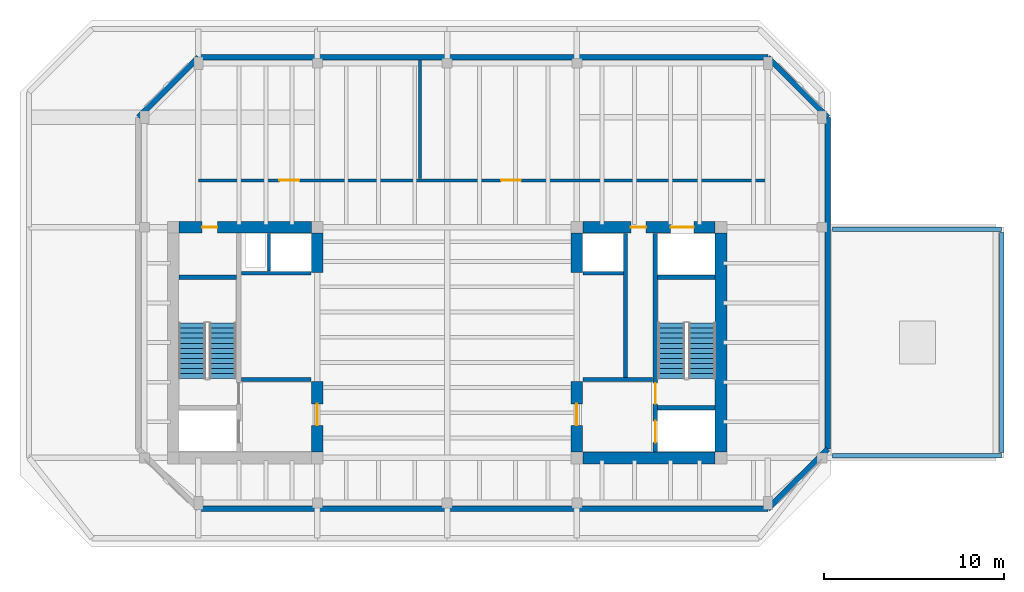
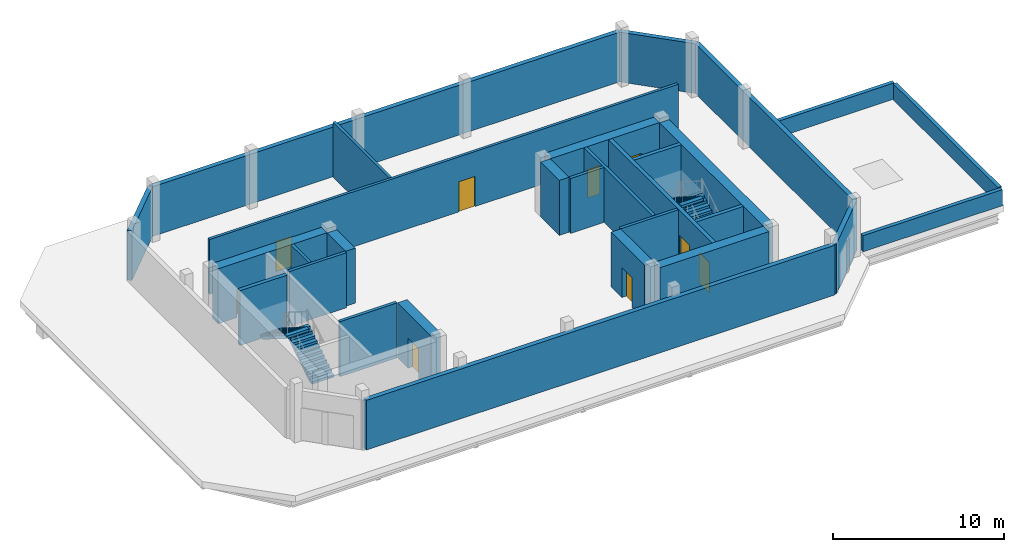
# One storey, part 3 of 5: 29 walls, 9 doors, 4 stair flights, 9 openings, 2 elements without a shape of their own.
"""IFC4 building model written with IfcOpenShell, lengths in metres."""

from ifc_helpers import new_model, si_unit, direction, frame, frame_2d, origin, place, context, subcontext, project, spatial, polyline, rectangle, outline, extrude, material, layer, layer_set, type_object, element, fill, aggregate, save


model = new_model("IFC4")

# Units and contexts
model_context = context("Model", 3, precision=1e-05, world=origin(), true_north=direction((0.0, 1.0)))
body_context = subcontext(model_context, "Body", "Model", "MODEL_VIEW")
ifc_project = project(units=[si_unit("LENGTHUNIT", "METRE"), si_unit("AREAUNIT", "SQUARE_METRE"), si_unit("VOLUMEUNIT", "CUBIC_METRE"), si_unit("PLANEANGLEUNIT", "RADIAN"), si_unit("MASSUNIT", "GRAM", prefix="KILO")], contexts=[model_context])

# Site, building, storey
site_placement = place(None, origin())
site = spatial("IfcSite", under=ifc_project, at=site_placement, CompositionType="ELEMENT")
building_placement = place(site_placement, origin())
building = spatial("IfcBuilding", under=site, at=building_placement, Name="Kranthara Brick Stack", CompositionType="ELEMENT")
storey_placement = place(building_placement, frame((0.0, 0.0, 292.199951171875)))
storey = spatial("IfcBuildingStorey", under=building, at=storey_placement, Name="L77", CompositionType="ELEMENT", Elevation=292.199951171875)

# Walls
ifc_material_1 = material(Name="Precast concrete C45/55", Category="concrete")
ifc_layer_1 = layer(ifc_material_1, 0.300048828125)
ifc_layer_set_1 = layer_set([ifc_layer_1], Name="Precast concrete C45/55")
wall_type_1 = type_object("IfcWallType", Name="WL-BRK-CRWN-300", PredefinedType="STANDARD", material=ifc_layer_set_1)
wall_1_placement = place(storey_placement, frame((45.800048828125, 17.969970703125, 0.0), z_axis=(0.0, 0.0, 1.0), x_axis=(-1.0, 0.0, 0.0)))
element("IfcWall", 1, at=wall_1_placement, inside=storey, type_object=wall_type_1, Name="L77 Exterior Brick Facade Wall SOUTH 1", PredefinedType="STANDARD", context=body_context, shape_type="SweptSolid", body=[
    extrude(rectangle(XDim=31.60009765625, YDim=0.300048828125, at=frame_2d((15.800048828125, 0.0))), origin(), (0.0, 0.0, 1.0), 3.545166015625),
])
wall_2_placement = place(storey_placement, frame((10.8701171875, 39.699951171875, 0.0), z_axis=(0.0, 0.0, 1.0), x_axis=(0.707080859425, 0.707132701998, 0.0)))
element("IfcWall", 2, at=wall_2_placement, inside=storey, type_object=wall_type_1, Name="L77 Exterior Brick Facade Wall NW 1", PredefinedType="STANDARD", context=body_context, shape_type="SweptSolid", body=[
    extrude(rectangle(XDim=4.709228515625, YDim=0.300048828125, at=frame_2d((2.3544921875, 0.0))), origin(), (0.0, 0.0, 1.0), 3.545166015625),
])
wall_3_placement = place(storey_placement, frame((14.199951171875, 43.030029296875, 0.0), z_axis=(0.0, 0.0, 1.0), x_axis=(1.0, 0.0, 0.0)))
element("IfcWall", 3, at=wall_3_placement, inside=storey, type_object=wall_type_1, Name="L77 Exterior Brick Facade Wall NORTH 1", PredefinedType="STANDARD", context=body_context, shape_type="SweptSolid", body=[
    extrude(rectangle(XDim=31.60009765625, YDim=0.300048828125, at=frame_2d((15.800048828125, 0.0))), origin(), (0.0, 0.0, 1.0), 3.545166015625),
])
wall_4_placement = place(storey_placement, frame((45.800048828125, 43.030029296875, 0.0), z_axis=(0.0, 0.0, 1.0), x_axis=(0.707080859425, -0.707132701998, 0.0)))
element("IfcWall", 4, at=wall_4_placement, inside=storey, type_object=wall_type_1, Name="L77 Exterior Brick Facade Wall NE 1", PredefinedType="STANDARD", context=body_context, shape_type="SweptSolid", body=[
    extrude(rectangle(XDim=4.709228515625, YDim=0.300048828125, at=frame_2d((2.3544921875, 0.0))), origin(), (0.0, 0.0, 1.0), 3.545166015625),
])
wall_5_placement = place(storey_placement, frame((49.1298828125, 39.699951171875, 0.0), z_axis=(0.0, 0.0, 1.0), x_axis=(0.0, -1.0, 0.0)))
element("IfcWall", 5, at=wall_5_placement, inside=storey, type_object=wall_type_1, Name="L77 Exterior Brick Facade Wall EAST 1", PredefinedType="STANDARD", context=body_context, shape_type="SweptSolid", body=[
    extrude(rectangle(XDim=18.39990234375, YDim=0.300048828125, at=frame_2d((9.199951171875, 0.0))), origin(), (0.0, 0.0, 1.0), 3.545166015625),
])
wall_6_placement = place(storey_placement, frame((49.1298828125, 21.300048828125, 0.0), z_axis=(0.0, 0.0, 1.0), x_axis=(-0.707080859425, -0.707132701998, 0.0)))
element("IfcWall", 6, at=wall_6_placement, inside=storey, type_object=wall_type_1, Name="L77 Exterior Brick Facade Wall SE 1", PredefinedType="STANDARD", context=body_context, shape_type="SweptSolid", body=[
    extrude(rectangle(XDim=4.709228515625, YDim=0.300048828125, at=frame_2d((2.3544921875, 0.0))), origin(), (0.0, 0.0, 1.0), 3.545166015625),
])
ifc_material_2 = material(Name="Concrete C50/60", Category="concrete")
ifc_layer_2 = layer(ifc_material_2, 0.25)
ifc_layer_set_2 = layer_set([ifc_layer_2], Name="Concrete C50/60")
wall_type_2 = type_object("IfcWallType", Name="WL-CORE-250", PredefinedType="SHEAR", material=ifc_layer_set_2)
wall_7_placement = place(storey_placement, frame((13.135009765625, 30.830078125, 0.0), z_axis=(0.0, 0.0, 1.0), x_axis=(1.0, 0.0, 0.0)))
element("IfcWall", 7, at=wall_7_placement, inside=storey, type_object=wall_type_2, Name="L77 West Stairwell Bearing Wall WST", PredefinedType="SHEAR", context=body_context, shape_type="SweptSolid", body=[
    extrude(rectangle(XDim=3.175048828125, YDim=0.25, at=frame_2d((1.58740234375, 0.0))), origin(), (0.0, 0.0, 1.0), 3.920166015625),
])

# Wall, openings, doors
wall_8_placement = place(storey_placement, frame((39.56494140625, 21.135009765625, 0.0), z_axis=(0.0, 0.0, 1.0), x_axis=(0.0, 1.0, 0.0)))
wall_8 = element("IfcWall", 8, at=wall_8_placement, inside=storey, type_object=wall_type_2, Name="L77 East Core Stair Bearing Spine Wall", PredefinedType="SHEAR", context=body_context, shape_type="SweptSolid", body=[
    extrude(rectangle(XDim=12.1298828125, YDim=0.25, at=frame_2d((6.06494140625, 0.0))), origin(), (0.0, 0.0, 1.0), 3.920166015625),
])
opening_1_placement = place(wall_8_placement, frame((0.514892578125, 0.0, 0.0)))
opening_1 = element("IfcOpeningElement", 9, at=opening_1_placement, cuts=wall_8, Name="Opening LD01", PredefinedType="OPENING", context=body_context, shape_type="SweptSolid", body=[
    extrude(rectangle(XDim=1.199951171875, YDim=2.14990234375, at=frame_2d((0.60009765625, 1.074951171875))), frame((0.0, 0.135009765625, 0.0), z_axis=(0.0, -1.0, 0.0), x_axis=(1.0, 0.0, 0.0)), (0.0, 0.0, 1.0), 0.27001953125),
])
opening_2_placement = place(wall_8_placement, frame((2.6650390625, 0.0, 0.0)))
opening_2 = element("IfcOpeningElement", 10, at=opening_2_placement, cuts=wall_8, Name="Opening D05", PredefinedType="OPENING", context=body_context, shape_type="SweptSolid", body=[
    extrude(rectangle(XDim=1.14990234375, YDim=2.14990234375, at=frame_2d((0.574951171875, 1.074951171875))), frame((0.0, 0.135009765625, 0.0), z_axis=(0.0, -1.0, 0.0), x_axis=(1.0, 0.0, 0.0)), (0.0, 0.0, 1.0), 0.27001953125),
])
ifc_material_3 = material(Name="Stainless steel sliding landing door", Category="steel")
door_type_1 = type_object("IfcDoorType", Name="DR-LD-FF1200", OperationType="DOUBLE_DOOR_SLIDING", PredefinedType="DOOR", material=ifc_material_3)
door_1_placement = place(opening_1_placement, origin())
door_1 = element("IfcDoor", 11, at=door_1_placement, inside=storey, type_object=door_type_1, Name="L77 Firefighting Lift FF-02 Landing Door", OperationType="DOUBLE_DOOR_SLIDING", OverallHeight=2.14990234375, OverallWidth=1.199951171875, PredefinedType="DOOR", context=body_context, shape_type="SweptSolid", body=[
    extrude(rectangle(XDim=1.199951171875, YDim=2.14990234375, at=frame_2d((0.60009765625, 1.074951171875))), frame((0.0, 0.02490234375, 0.0), z_axis=(0.0, -1.0, 0.0), x_axis=(1.0, 0.0, 0.0)), (0.0, 0.0, 1.0), 0.050048828125),
])
fill(opening_1, door_1)
ifc_material_4 = material(Name="Solid-core hardwood timber leaf in steel frame", Category="steel")
door_type_2 = type_object("IfcDoorType", Name="DR-ST-1150", OperationType="NOTDEFINED", PredefinedType="DOOR", material=ifc_material_4)
door_2_placement = place(opening_2_placement, origin())
door_2 = element("IfcDoor", 12, at=door_2_placement, inside=storey, type_object=door_type_2, Name="L77 Exit Stair ST02 Door", OperationType="SINGLE_SWING_LEFT", OverallHeight=2.14990234375, OverallWidth=1.14990234375, PredefinedType="DOOR", context=body_context, shape_type="SweptSolid", body=[
    extrude(rectangle(XDim=1.14990234375, YDim=2.14990234375, at=frame_2d((0.574951171875, 1.074951171875))), frame((0.0, 0.02490234375, 0.0), z_axis=(0.0, -1.0, 0.0), x_axis=(1.0, 0.0, 0.0)), (0.0, 0.0, 1.0), 0.050048828125),
])
fill(opening_2, door_2)

# Walls
for number, where, z_axis, x_axis, name in (
    (13, (39.68994140625, 23.570068359375, 0.0), (0.0, 0.0, 1.0), (1.0, 0.0, 0.0), "L77 East Stairwell Bearing Wall EFF"),
    (14, (39.68994140625, 30.830078125, 0.0), (0.0, 0.0, 1.0), (1.0, 0.0, 0.0), "L77 East Stairwell Bearing Wall EST"),
):
    element("IfcWall", number, at=place(storey_placement, frame(where, z_axis=z_axis, x_axis=x_axis)), inside=storey, type_object=wall_type_2, Name=name, PredefinedType="SHEAR", context=body_context, shape_type="SweptSolid", body=[
        extrude(rectangle(XDim=3.175048828125, YDim=0.25, at=frame_2d((1.58740234375, 0.0))), origin(), (0.0, 0.0, 1.0), 3.920166015625),
    ])

# Wall, opening, door
ifc_material_5 = material(Name="Concrete C60/75", Category="concrete")
ifc_layer_3 = layer(ifc_material_5, 0.64990234375)
ifc_layer_set_3 = layer_set([ifc_layer_3], Name="Concrete C60/75")
wall_type_3 = type_object("IfcWallType", Name="WL-CORE-650", PredefinedType="SHEAR", material=ifc_layer_set_3)
wall_9_placement = place(storey_placement, frame((13.1298828125, 33.60009765625, 0.0), z_axis=(0.0, 0.0, 1.0), x_axis=(1.0, 0.0, 0.0)))
wall_9 = element("IfcWall", 15, at=wall_9_placement, inside=storey, type_object=wall_type_3, Name="L77 West Core Shear Wall North", PredefinedType="SHEAR", context=body_context, shape_type="SweptSolid", body=[
    extrude(rectangle(XDim=7.340087890625, YDim=0.64990234375, at=frame_2d((3.669921875, 0.0))), origin(), (0.0, 0.0, 1.0), 3.920166015625),
])
opening_3_placement = place(wall_9_placement, frame((1.27001953125, 0.0, 0.0)))
opening_3 = element("IfcOpeningElement", 16, at=opening_3_placement, cuts=wall_9, Name="Opening D10", PredefinedType="OPENING", context=body_context, shape_type="SweptSolid", body=[
    extrude(rectangle(XDim=0.85009765625, YDim=2.02001953125, at=frame_2d((0.425048828125, 1.010009765625))), frame((0.0, 0.3349609375, 0.0), z_axis=(0.0, -1.0, 0.0), x_axis=(1.0, 0.0, 0.0)), (0.0, 0.0, 1.0), 0.669921875),
])
ifc_material_6 = material(Name="Solid-core hardwood timber leaf in steel frame", Category="steel")
door_type_3 = type_object("IfcDoorType", Name="DR-RSR-850", OperationType="NOTDEFINED", PredefinedType="DOOR", material=ifc_material_6)
door_3_placement = place(opening_3_placement, origin())
door_3 = element("IfcDoor", 17, at=door_3_placement, inside=storey, type_object=door_type_3, Name="L77 West Core Service Door 1", OperationType="SINGLE_SWING_LEFT", OverallHeight=2.02001953125, OverallWidth=0.85009765625, PredefinedType="DOOR", context=body_context, shape_type="SweptSolid", body=[
    extrude(rectangle(XDim=0.85009765625, YDim=2.02001953125, at=frame_2d((0.425048828125, 1.010009765625))), frame((0.0, 0.02490234375, 0.0), z_axis=(0.0, -1.0, 0.0), x_axis=(1.0, 0.0, 0.0)), (0.0, 0.0, 1.0), 0.050048828125),
])
fill(opening_3, door_3)

wall_10_placement = place(storey_placement, frame((20.800048828125, 21.1298828125, 0.0), z_axis=(0.0, 0.0, 1.0), x_axis=(0.0, 1.0, 0.0)))
wall_10 = element("IfcWall", 18, at=wall_10_placement, inside=storey, type_object=wall_type_3, Name="L77 West Core Lobby Shear Wall", PredefinedType="SHEAR", context=body_context, shape_type="SweptSolid", body=[
    extrude(rectangle(XDim=3.920166015625, YDim=0.64990234375, at=frame_2d((1.9599609375, 0.0))), origin(), (0.0, 0.0, 1.0), 3.920166015625),
])
opening_4_placement = place(wall_10_placement, frame((1.469970703125, 0.0, 0.0)))
opening_4 = element("IfcOpeningElement", 19, at=opening_4_placement, cuts=wall_10, Name="Opening D06", PredefinedType="OPENING", context=body_context, shape_type="SweptSolid", body=[
    extrude(rectangle(XDim=1.199951171875, YDim=2.14990234375, at=frame_2d((0.60009765625, 1.074951171875))), frame((0.0, 0.3349609375, 0.0), z_axis=(0.0, -1.0, 0.0), x_axis=(1.0, 0.0, 0.0)), (0.0, 0.0, 1.0), 0.669921875),
])
ifc_material_7 = material(Name="Solid-core hardwood timber leaf in steel frame", Category="steel")
door_type_4 = type_object("IfcDoorType", Name="DR-FFL-1200", OperationType="NOTDEFINED", PredefinedType="DOOR", material=ifc_material_7)
door_4_placement = place(opening_4_placement, origin())
door_4 = element("IfcDoor", 20, at=door_4_placement, inside=storey, type_object=door_type_4, Name="L77 West Firefighting Lobby Door", OperationType="SINGLE_SWING_LEFT", OverallHeight=2.14990234375, OverallWidth=1.199951171875, PredefinedType="DOOR", context=body_context, shape_type="SweptSolid", body=[
    extrude(rectangle(XDim=1.199951171875, YDim=2.14990234375, at=frame_2d((0.60009765625, 1.074951171875))), frame((0.0, 0.02490234375, 0.0), z_axis=(0.0, -1.0, 0.0), x_axis=(1.0, 0.0, 0.0)), (0.0, 0.0, 1.0), 0.050048828125),
])
fill(opening_4, door_4)

# Walls
wall_11_placement = place(storey_placement, frame((20.800048828125, 31.10009765625, 0.0), z_axis=(0.0, 0.0, 1.0), x_axis=(0.0, 1.0, 0.0)))
element("IfcWall", 21, at=wall_11_placement, inside=storey, type_object=wall_type_3, Name="L77 West Core High-Rise Lift Wall", PredefinedType="SHEAR", context=body_context, shape_type="SweptSolid", body=[
    extrude(rectangle(XDim=2.169921875, YDim=0.64990234375, at=frame_2d((1.0849609375, 0.0))), origin(), (0.0, 0.0, 1.0), 3.920166015625),
])
wall_12_placement = place(storey_placement, frame((43.199951171875, 21.1298828125, 0.0), z_axis=(0.0, 0.0, 1.0), x_axis=(0.0, 1.0, 0.0)))
element("IfcWall", 22, at=wall_12_placement, inside=storey, type_object=wall_type_3, Name="L77 East Core Shear Wall East", PredefinedType="SHEAR", context=body_context, shape_type="SweptSolid", body=[
    extrude(rectangle(XDim=12.14013671875, YDim=0.64990234375, at=frame_2d((6.070068359375, 0.0))), origin(), (0.0, 0.0, 1.0), 3.920166015625),
])
wall_13_placement = place(storey_placement, frame((35.530029296875, 20.800048828125, 0.0), z_axis=(0.0, 0.0, 1.0), x_axis=(1.0, 0.0, 0.0)))
element("IfcWall", 23, at=wall_13_placement, inside=storey, type_object=wall_type_3, Name="L77 East Core Shear Wall South", PredefinedType="SHEAR", context=body_context, shape_type="SweptSolid", body=[
    extrude(rectangle(XDim=7.340087890625, YDim=0.64990234375, at=frame_2d((3.669921875, 0.0))), origin(), (0.0, 0.0, 1.0), 3.920166015625),
])

# Wall, openings, doors
wall_14_placement = place(storey_placement, frame((35.530029296875, 33.60009765625, 0.0), z_axis=(0.0, 0.0, 1.0), x_axis=(1.0, 0.0, 0.0)))
wall_14 = element("IfcWall", 24, at=wall_14_placement, inside=storey, type_object=wall_type_3, Name="L77 East Core Shear Wall North", PredefinedType="SHEAR", context=body_context, shape_type="SweptSolid", body=[
    extrude(rectangle(XDim=7.340087890625, YDim=0.64990234375, at=frame_2d((3.669921875, 0.0))), origin(), (0.0, 0.0, 1.0), 3.920166015625),
])
opening_5_placement = place(wall_14_placement, frame((4.8701171875, 0.0, 0.0)))
opening_5 = element("IfcOpeningElement", 25, at=opening_5_placement, cuts=wall_14, Name="Opening LD03", PredefinedType="OPENING", context=body_context, shape_type="SweptSolid", body=[
    extrude(rectangle(XDim=1.300048828125, YDim=2.14990234375, at=frame_2d((0.64990234375, 1.074951171875))), frame((0.0, 0.3349609375, 0.0), z_axis=(0.0, -1.0, 0.0), x_axis=(1.0, 0.0, 0.0)), (0.0, 0.0, 1.0), 0.669921875),
])
opening_6_placement = place(wall_14_placement, frame((2.669921875, 0.0, 0.0)))
opening_6 = element("IfcOpeningElement", 26, at=opening_6_placement, cuts=wall_14, Name="Opening D10", PredefinedType="OPENING", context=body_context, shape_type="SweptSolid", body=[
    extrude(rectangle(XDim=0.85009765625, YDim=2.02001953125, at=frame_2d((0.425048828125, 1.010009765625))), frame((0.0, 0.3349609375, 0.0), z_axis=(0.0, -1.0, 0.0), x_axis=(1.0, 0.0, 0.0)), (0.0, 0.0, 1.0), 0.669921875),
])
ifc_material_8 = material(Name="Stainless steel sliding landing door", Category="steel")
door_type_5 = type_object("IfcDoorType", Name="DR-LD-SV1300", OperationType="DOUBLE_DOOR_SLIDING", PredefinedType="DOOR", material=ifc_material_8)
door_5_placement = place(opening_5_placement, origin())
door_5 = element("IfcDoor", 27, at=door_5_placement, inside=storey, type_object=door_type_5, Name="L77 Stretcher Service Lift SV-01 Landing Door", OperationType="DOUBLE_DOOR_SLIDING", OverallHeight=2.14990234375, OverallWidth=1.300048828125, PredefinedType="DOOR", context=body_context, shape_type="SweptSolid", body=[
    extrude(rectangle(XDim=1.300048828125, YDim=2.14990234375, at=frame_2d((0.64990234375, 1.074951171875))), frame((0.0, 0.02490234375, 0.0), z_axis=(0.0, -1.0, 0.0), x_axis=(1.0, 0.0, 0.0)), (0.0, 0.0, 1.0), 0.050048828125),
])
fill(opening_5, door_5)
door_6_placement = place(opening_6_placement, origin())
door_6 = element("IfcDoor", 28, at=door_6_placement, inside=storey, type_object=door_type_3, Name="L77 East Core Service Room Door", OperationType="SINGLE_SWING_LEFT", OverallHeight=2.02001953125, OverallWidth=0.85009765625, PredefinedType="DOOR", context=body_context, shape_type="SweptSolid", body=[
    extrude(rectangle(XDim=0.85009765625, YDim=2.02001953125, at=frame_2d((0.425048828125, 1.010009765625))), frame((0.0, 0.02490234375, 0.0), z_axis=(0.0, -1.0, 0.0), x_axis=(1.0, 0.0, 0.0)), (0.0, 0.0, 1.0), 0.050048828125),
])
fill(opening_6, door_6)

# Wall, opening, door
wall_15_placement = place(storey_placement, frame((35.199951171875, 21.1298828125, 0.0), z_axis=(0.0, 0.0, 1.0), x_axis=(0.0, 1.0, 0.0)))
wall_15 = element("IfcWall", 29, at=wall_15_placement, inside=storey, type_object=wall_type_3, Name="L77 East Core Lobby Shear Wall", PredefinedType="SHEAR", context=body_context, shape_type="SweptSolid", body=[
    extrude(rectangle(XDim=3.920166015625, YDim=0.64990234375, at=frame_2d((1.9599609375, 0.0))), origin(), (0.0, 0.0, 1.0), 3.920166015625),
])
opening_7_placement = place(wall_15_placement, frame((1.469970703125, 0.0, 0.0)))
opening_7 = element("IfcOpeningElement", 30, at=opening_7_placement, cuts=wall_15, Name="Opening D06", PredefinedType="OPENING", context=body_context, shape_type="SweptSolid", body=[
    extrude(rectangle(XDim=1.199951171875, YDim=2.14990234375, at=frame_2d((0.60009765625, 1.074951171875))), frame((0.0, 0.3349609375, 0.0), z_axis=(0.0, -1.0, 0.0), x_axis=(1.0, 0.0, 0.0)), (0.0, 0.0, 1.0), 0.669921875),
])
door_7_placement = place(opening_7_placement, origin())
door_7 = element("IfcDoor", 31, at=door_7_placement, inside=storey, type_object=door_type_4, Name="L77 East Firefighting Lobby Door", OperationType="SINGLE_SWING_RIGHT", OverallHeight=2.14990234375, OverallWidth=1.199951171875, PredefinedType="DOOR", context=body_context, shape_type="SweptSolid", body=[
    extrude(rectangle(XDim=1.199951171875, YDim=2.14990234375, at=frame_2d((0.60009765625, 1.074951171875))), frame((0.0, 0.02490234375, 0.0), z_axis=(0.0, -1.0, 0.0), x_axis=(1.0, 0.0, 0.0)), (0.0, 0.0, 1.0), 0.050048828125),
])
fill(opening_7, door_7)

# Walls
wall_16_placement = place(storey_placement, frame((35.199951171875, 31.10009765625, 0.0), z_axis=(0.0, 0.0, 1.0), x_axis=(0.0, 1.0, 0.0)))
element("IfcWall", 32, at=wall_16_placement, inside=storey, type_object=wall_type_3, Name="L77 East Core High-Rise Lift Wall", PredefinedType="SHEAR", context=body_context, shape_type="SweptSolid", body=[
    extrude(rectangle(XDim=2.169921875, YDim=0.64990234375, at=frame_2d((1.0849609375, 0.0))), origin(), (0.0, 0.0, 1.0), 3.920166015625),
])
ifc_material_9 = material(Name="Kiln-fired clay brick masonry M15", Category="masonry")
ifc_layer_4 = layer(ifc_material_9, 0.25)
ifc_layer_set_4 = layer_set([ifc_layer_4], Name="Kiln-fired clay brick masonry M15")
wall_type_4 = type_object("IfcWallType", Name="WL-PAR-BRK-250", PredefinedType="PARAPET", material=ifc_layer_set_4)
wall_17_placement = place(storey_placement, frame((49.39990234375, 20.919921875, 0.0), z_axis=(0.0, 0.0, 1.0), x_axis=(1.0, 0.0, 0.0)))
element("IfcWall", 33, at=wall_17_placement, inside=storey, type_object=wall_type_4, Name="L77 Sky Pool Roof Parapet S", PredefinedType="PARAPET", context=body_context, shape_type="SweptSolid", body=[
    extrude(rectangle(XDim=9.380126953125, YDim=0.25, at=frame_2d((4.68994140625, 0.0))), origin(), (0.0, 0.0, 1.0), 1.150146484375),
])
wall_18_placement = place(storey_placement, frame((58.780029296875, 21.10009765625, 0.0), z_axis=(0.0, 0.0, 1.0), x_axis=(0.0, 1.0, 0.0)))
element("IfcWall", 34, at=wall_18_placement, inside=storey, type_object=wall_type_4, Name="L77 Sky Pool Roof Parapet E", PredefinedType="PARAPET", context=body_context, shape_type="SweptSolid", body=[
    extrude(rectangle(XDim=12.199951171875, YDim=0.25, at=frame_2d((6.10009765625, 0.0))), origin(), (0.0, 0.0, 1.0), 1.150146484375),
])
wall_19_placement = place(storey_placement, frame((58.780029296875, 33.47998046875, 0.0), z_axis=(0.0, 0.0, 1.0), x_axis=(-1.0, 0.0, 0.0)))
element("IfcWall", 35, at=wall_19_placement, inside=storey, type_object=wall_type_4, Name="L77 Sky Pool Roof Parapet N", PredefinedType="PARAPET", context=body_context, shape_type="SweptSolid", body=[
    extrude(rectangle(XDim=9.380126953125, YDim=0.25, at=frame_2d((4.68994140625, 0.0))), origin(), (0.0, 0.0, 1.0), 1.150146484375),
])
ifc_material_10 = material(Name="Gypsum plasterboard on acoustic twin stud", Category="other")
ifc_layer_5 = layer(ifc_material_10, 0.179931640625)
ifc_layer_set_5 = layer_set([ifc_layer_5], Name="Gypsum plasterboard on acoustic twin stud")
wall_type_5 = type_object("IfcWallType", Name="WL-PART-180", PredefinedType="PARTITIONING", material=ifc_layer_set_5)
wall_20_placement = place(storey_placement, frame((18.1201171875, 31.169921875, 0.0), z_axis=(0.0, 0.0, 1.0), x_axis=(0.0, 1.0, 0.0)))
element("IfcWall", 36, at=wall_20_placement, inside=storey, type_object=wall_type_5, Name="L77 PL-07 Shaft Back Wall", PredefinedType="PARTITIONING", context=body_context, shape_type="SweptSolid", body=[
    extrude(rectangle(XDim=2.094970703125, YDim=0.179931640625, at=frame_2d((1.04736328125, 0.0))), origin(), (0.0, 0.0, 1.0), 3.920166015625),
])

# Wall, openings, doors
wall_21_placement = place(storey_placement, frame((14.199951171875, 36.199951171875, 0.0), z_axis=(0.0, 0.0, 1.0), x_axis=(1.0, 0.0, 0.0)))
wall_21 = element("IfcWall", 37, at=wall_21_placement, inside=storey, type_object=wall_type_5, Name="L77 Interior Partition 001", PredefinedType="PARTITIONING", context=body_context, shape_type="SweptSolid", body=[
    extrude(rectangle(XDim=31.60009765625, YDim=0.179931640625, at=frame_2d((15.800048828125, 0.0))), origin(), (0.0, 0.0, 1.0), 3.920166015625),
])
opening_8_placement = place(wall_21_placement, frame((4.5, 0.0, 0.0)))
opening_8 = element("IfcOpeningElement", 38, at=opening_8_placement, cuts=wall_21, Name="Opening D07", PredefinedType="OPENING", context=body_context, shape_type="SweptSolid", body=[
    extrude(rectangle(XDim=1.10009765625, YDim=2.14990234375, at=frame_2d((0.550048828125, 1.074951171875))), frame((0.0, 0.099853515625, 0.0), z_axis=(0.0, -1.0, 0.0), x_axis=(1.0, 0.0, 0.0)), (0.0, 0.0, 1.0), 0.199951171875),
])
opening_9_placement = place(wall_21_placement, frame((16.800048828125, 0.0, 0.0)))
opening_9 = element("IfcOpeningElement", 39, at=opening_9_placement, cuts=wall_21, Name="Opening D07", PredefinedType="OPENING", context=body_context, shape_type="SweptSolid", body=[
    extrude(rectangle(XDim=1.10009765625, YDim=2.14990234375, at=frame_2d((0.550048828125, 1.074951171875))), frame((0.0, 0.099853515625, 0.0), z_axis=(0.0, -1.0, 0.0), x_axis=(1.0, 0.0, 0.0)), (0.0, 0.0, 1.0), 0.199951171875),
])
ifc_material_11 = material(Name="Solid-core hardwood timber leaf in steel frame", Category="steel")
door_type_6 = type_object("IfcDoorType", Name="DR-FD-1100", OperationType="NOTDEFINED", PredefinedType="DOOR", material=ifc_material_11)
door_8_placement = place(opening_8_placement, origin())
door_8 = element("IfcDoor", 40, at=door_8_placement, inside=storey, type_object=door_type_6, Name="L77 Crown Cooling Plant Door 01", OperationType="SINGLE_SWING_LEFT", OverallHeight=2.14990234375, OverallWidth=1.10009765625, PredefinedType="DOOR", context=body_context, shape_type="SweptSolid", body=[
    extrude(rectangle(XDim=1.10009765625, YDim=2.14990234375, at=frame_2d((0.550048828125, 1.074951171875))), frame((0.0, 0.02490234375, 0.0), z_axis=(0.0, -1.0, 0.0), x_axis=(1.0, 0.0, 0.0)), (0.0, 0.0, 1.0), 0.050048828125),
])
fill(opening_8, door_8)
door_9_placement = place(opening_9_placement, origin())
door_9 = element("IfcDoor", 41, at=door_9_placement, inside=storey, type_object=door_type_6, Name="L77 Crown Lift Machine Door 02", OperationType="SINGLE_SWING_RIGHT", OverallHeight=2.14990234375, OverallWidth=1.10009765625, PredefinedType="DOOR", context=body_context, shape_type="SweptSolid", body=[
    extrude(rectangle(XDim=1.10009765625, YDim=2.14990234375, at=frame_2d((0.550048828125, 1.074951171875))), frame((0.0, 0.02490234375, 0.0), z_axis=(0.0, -1.0, 0.0), x_axis=(1.0, 0.0, 0.0)), (0.0, 0.0, 1.0), 0.050048828125),
])
fill(opening_9, door_9)

# Walls
wall_22_placement = place(storey_placement, frame((26.5, 36.300048828125, 0.0), z_axis=(0.0, 0.0, 1.0), x_axis=(0.0, 1.0, 0.0)))
element("IfcWall", 42, at=wall_22_placement, inside=storey, type_object=wall_type_5, Name="L77 Interior Partition 002", PredefinedType="PARTITIONING", context=body_context, shape_type="SweptSolid", body=[
    extrude(rectangle(XDim=6.574951171875, YDim=0.179931640625, at=frame_2d((3.28759765625, 0.0))), origin(), (0.0, 0.0, 1.0), 3.920166015625),
])
ifc_material_12 = material(Name="Concrete C40/50", Category="concrete")
ifc_layer_6 = layer(ifc_material_12, 0.199951171875)
ifc_layer_set_6 = layer_set([ifc_layer_6], Name="Concrete C40/50")
wall_type_6 = type_object("IfcWallType", Name="WL-PART-200", PredefinedType="SOLIDWALL", material=ifc_layer_set_6)
for number, where, z_axis, x_axis, name in (
    (43, (16.60009765625, 25.14990234375, 0.0), (0.0, 0.0, 1.0), (1.0, 0.0, 0.0), "L77 West Core Cross Wall WFL"),
    (44, (16.60009765625, 31.050048828125, 0.0), (0.0, 0.0, 1.0), (1.0, 0.0, 0.0), "L77 West Core Cross Wall WH4"),
    (45, (35.550048828125, 25.14990234375, 0.0), (0.0, 0.0, 1.0), (1.0, 0.0, 0.0), "L77 East Core Cross Wall EFL"),
):
    element("IfcWall", number, at=place(storey_placement, frame(where, z_axis=z_axis, x_axis=x_axis)), inside=storey, type_object=wall_type_6, Name=name, PredefinedType="SOLIDWALL", context=body_context, shape_type="SweptSolid", body=[
        extrude(rectangle(XDim=3.849853515625, YDim=0.199951171875, at=frame_2d((1.9248046875, 0.0))), origin(), (0.0, 0.0, 1.0), 3.920166015625),
    ])
wall_23_placement = place(storey_placement, frame((35.550048828125, 31.050048828125, 0.0), z_axis=(0.0, 0.0, 1.0), x_axis=(1.0, 0.0, 0.0)))
element("IfcWall", 46, at=wall_23_placement, inside=storey, type_object=wall_type_6, Name="L77 East Core Cross Wall EE4", PredefinedType="SOLIDWALL", context=body_context, shape_type="SweptSolid", body=[
    extrude(rectangle(XDim=2.25, YDim=0.199951171875, at=frame_2d((1.125, 0.0))), origin(), (0.0, 0.0, 1.0), 3.920166015625),
])
wall_24_placement = place(storey_placement, frame((37.89990234375, 25.27001953125, 0.0), z_axis=(0.0, 0.0, 1.0), x_axis=(0.0, 1.0, 0.0)))
element("IfcWall", 47, at=wall_24_placement, inside=storey, type_object=wall_type_6, Name="L77 East Core Cross Wall ESV", PredefinedType="SOLIDWALL", context=body_context, shape_type="SweptSolid", body=[
    extrude(rectangle(XDim=7.994873046875, YDim=0.199951171875, at=frame_2d((3.99755859375, 0.0))), origin(), (0.0, 0.0, 1.0), 3.920166015625),
])

# Stair, stair flights
ifc_material_13 = material(Name="Concrete C45/55", Category="concrete")
stair_type = type_object("IfcStairType", Name="ST-CORE-24R", PredefinedType="HALF_TURN_STAIR", material=ifc_material_13)
stair_1_placement = place(storey_placement, origin())
stair_1 = element("IfcStair", 48, at=stair_1_placement, inside=storey, type_object=stair_type, Name="L77 West Core Protected Exit Stair ST01", PredefinedType="HALF_TURN_STAIR")
ifc_material_14 = material(Name="Concrete C45/55", Category="concrete")
stair_flight_type = type_object("IfcStairFlightType", Name="SFL-RC-24R", PredefinedType="STRAIGHT", material=ifc_material_14)
stair_flight_1_placement = place(storey_placement, frame((15.550048828125, 25.199951171875, 0.0), z_axis=(0.0, 0.0, 1.0), x_axis=(0.0, 1.0, 0.0)))
stair_flight_1 = element("IfcStairFlight", 49, at=stair_flight_1_placement, type_object=stair_flight_type, Name="ST01 flight 1", NumberOfRisers=12, NumberOfTreads=11, PredefinedType="STRAIGHT", RiserHeight=0.175, TreadLength=0.28, context=body_context, shape_type="SweptSolid", body=[
    extrude(outline(polyline([(0.0, 0.0), (0.0, 0.175048828125), (0.280029296875, 0.175048828125), (0.280029296875, 0.35009765625), (0.56005859375, 0.35009765625), (0.56005859375, 0.52490234375), (0.840087890625, 0.52490234375), (0.840087890625, 0.699951171875), (1.1201171875, 0.699951171875), (1.1201171875, 0.875), (1.39990234375, 0.875), (1.39990234375, 1.050048828125), (1.679931640625, 1.050048828125), (1.679931640625, 1.22509765625), (1.9599609375, 1.22509765625), (1.9599609375, 1.39990234375), (2.239990234375, 1.39990234375), (2.239990234375, 1.574951171875), (2.52001953125, 1.574951171875), (2.52001953125, 1.75), (2.800048828125, 1.75), (2.800048828125, 1.925048828125), (3.080078125, 1.925048828125), (3.080078125, 2.10009765625), (3.080078125, 1.748291015625), (0.28271484375, 0.0), (0.0, 0.0)])), frame((0.0, 0.75, 0.0), z_axis=(0.0, -1.0, 0.0), x_axis=(1.0, 0.0, 0.0)), (0.0, 0.0, 1.0), 1.5),
])
stair_flight_2_placement = place(storey_placement, frame((13.85009765625, 28.280029296875, 2.10009765625), z_axis=(0.0, 0.0, 1.0), x_axis=(0.0, -1.0, 0.0)))
stair_flight_2 = element("IfcStairFlight", 50, at=stair_flight_2_placement, type_object=stair_flight_type, Name="ST01 flight 2", NumberOfRisers=12, NumberOfTreads=11, PredefinedType="STRAIGHT", RiserHeight=0.175, TreadLength=0.28, context=body_context, shape_type="SweptSolid", body=[
    extrude(outline(polyline([(0.0, 0.0), (0.0, 0.175048828125), (0.280029296875, 0.175048828125), (0.280029296875, 0.35009765625), (0.56005859375, 0.35009765625), (0.56005859375, 0.52490234375), (0.840087890625, 0.52490234375), (0.840087890625, 0.699951171875), (1.1201171875, 0.699951171875), (1.1201171875, 0.875), (1.39990234375, 0.875), (1.39990234375, 1.050048828125), (1.679931640625, 1.050048828125), (1.679931640625, 1.22509765625), (1.9599609375, 1.22509765625), (1.9599609375, 1.39990234375), (2.239990234375, 1.39990234375), (2.239990234375, 1.574951171875), (2.52001953125, 1.574951171875), (2.52001953125, 1.75), (2.800048828125, 1.75), (2.800048828125, 1.925048828125), (3.080078125, 1.925048828125), (3.080078125, 2.10009765625), (3.080078125, 1.748291015625), (0.28271484375, 0.0), (0.0, 0.0)])), frame((0.0, 0.75, 0.0), z_axis=(0.0, -1.0, 0.0), x_axis=(1.0, 0.0, 0.0)), (0.0, 0.0, 1.0), 1.5),
])
aggregate(stair_1, [stair_flight_1, stair_flight_2])

stair_2_placement = place(storey_placement, origin())
stair_2 = element("IfcStair", 51, at=stair_2_placement, inside=storey, type_object=stair_type, Name="L77 East Core Protected Exit Stair ST02", PredefinedType="HALF_TURN_STAIR")
stair_flight_3_placement = place(storey_placement, frame((42.14990234375, 25.199951171875, 0.0), z_axis=(0.0, 0.0, 1.0), x_axis=(0.0, 1.0, 0.0)))
stair_flight_3 = element("IfcStairFlight", 52, at=stair_flight_3_placement, type_object=stair_flight_type, Name="ST02 flight 1", NumberOfRisers=12, NumberOfTreads=11, PredefinedType="STRAIGHT", RiserHeight=0.175, TreadLength=0.28, context=body_context, shape_type="SweptSolid", body=[
    extrude(outline(polyline([(0.0, 0.0), (0.0, 0.175048828125), (0.280029296875, 0.175048828125), (0.280029296875, 0.35009765625), (0.56005859375, 0.35009765625), (0.56005859375, 0.52490234375), (0.840087890625, 0.52490234375), (0.840087890625, 0.699951171875), (1.1201171875, 0.699951171875), (1.1201171875, 0.875), (1.39990234375, 0.875), (1.39990234375, 1.050048828125), (1.679931640625, 1.050048828125), (1.679931640625, 1.22509765625), (1.9599609375, 1.22509765625), (1.9599609375, 1.39990234375), (2.239990234375, 1.39990234375), (2.239990234375, 1.574951171875), (2.52001953125, 1.574951171875), (2.52001953125, 1.75), (2.800048828125, 1.75), (2.800048828125, 1.925048828125), (3.080078125, 1.925048828125), (3.080078125, 2.10009765625), (3.080078125, 1.748291015625), (0.28271484375, 0.0), (0.0, 0.0)])), frame((0.0, 0.75, 0.0), z_axis=(0.0, -1.0, 0.0), x_axis=(1.0, 0.0, 0.0)), (0.0, 0.0, 1.0), 1.5),
])
stair_flight_4_placement = place(storey_placement, frame((40.449951171875, 28.280029296875, 2.10009765625), z_axis=(0.0, 0.0, 1.0), x_axis=(0.0, -1.0, 0.0)))
stair_flight_4 = element("IfcStairFlight", 53, at=stair_flight_4_placement, type_object=stair_flight_type, Name="ST02 flight 2", NumberOfRisers=12, NumberOfTreads=11, PredefinedType="STRAIGHT", RiserHeight=0.175, TreadLength=0.28, context=body_context, shape_type="SweptSolid", body=[
    extrude(outline(polyline([(0.0, 0.0), (0.0, 0.175048828125), (0.280029296875, 0.175048828125), (0.280029296875, 0.35009765625), (0.56005859375, 0.35009765625), (0.56005859375, 0.52490234375), (0.840087890625, 0.52490234375), (0.840087890625, 0.699951171875), (1.1201171875, 0.699951171875), (1.1201171875, 0.875), (1.39990234375, 0.875), (1.39990234375, 1.050048828125), (1.679931640625, 1.050048828125), (1.679931640625, 1.22509765625), (1.9599609375, 1.22509765625), (1.9599609375, 1.39990234375), (2.239990234375, 1.39990234375), (2.239990234375, 1.574951171875), (2.52001953125, 1.574951171875), (2.52001953125, 1.75), (2.800048828125, 1.75), (2.800048828125, 1.925048828125), (3.080078125, 1.925048828125), (3.080078125, 2.10009765625), (3.080078125, 1.748291015625), (0.28271484375, 0.0), (0.0, 0.0)])), frame((0.0, 0.75, 0.0), z_axis=(0.0, -1.0, 0.0), x_axis=(1.0, 0.0, 0.0)), (0.0, 0.0, 1.0), 1.5),
])
aggregate(stair_2, [stair_flight_3, stair_flight_4])

save(model, "model.ifc")
